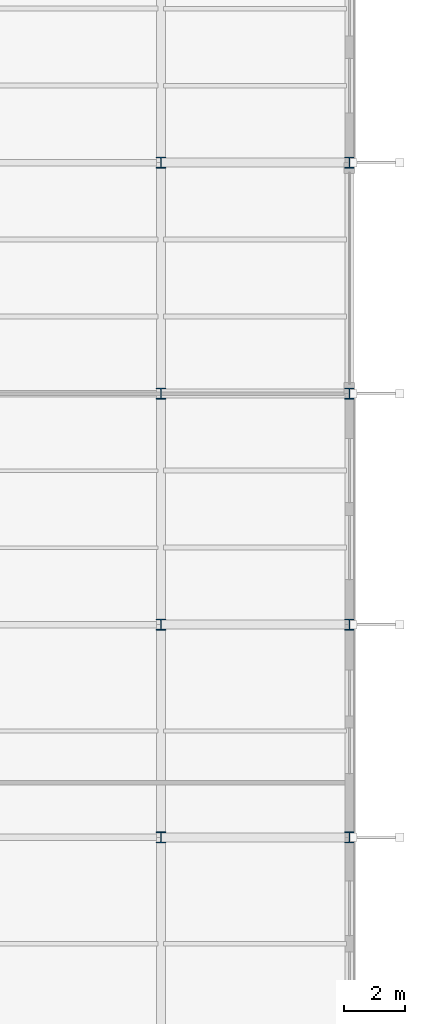
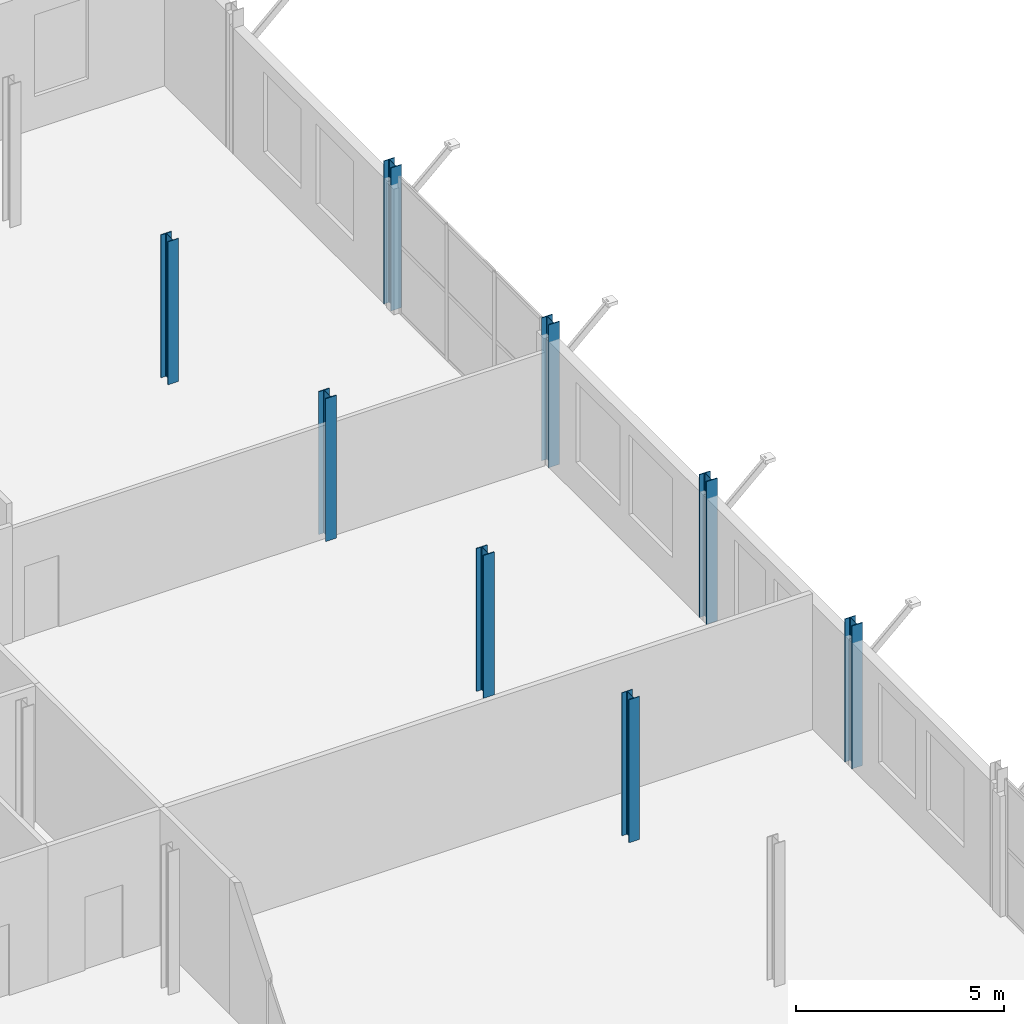
# One storey, part 8 of 25: 8 columns.
"""IFC4 building model written with IfcOpenShell, lengths in metres."""

from ifc_helpers import new_model, si_unit, direction, frame, origin, origin_2d, place, context, subcontext, project, spatial, i_section, extrude, material, material_profile, profile_set, type_object, element, save


model = new_model("IFC4")

# Units and contexts
model_context = context("Model", 3, precision=1e-05, world=origin(), true_north=direction((0.0, 1.0)))
body_context = subcontext(model_context, "Body", "Model", "MODEL_VIEW")
ifc_project = project(units=[si_unit("LENGTHUNIT", "METRE"), si_unit("AREAUNIT", "SQUARE_METRE"), si_unit("VOLUMEUNIT", "CUBIC_METRE"), si_unit("PLANEANGLEUNIT", "RADIAN"), si_unit("MASSUNIT", "GRAM", prefix="KILO")], contexts=[model_context])

# Site, building, storey
site_placement = place(None, origin())
site = spatial("IfcSite", under=ifc_project, at=site_placement, CompositionType="ELEMENT")
building_placement = place(site_placement, origin())
building = spatial("IfcBuilding", under=site, at=building_placement, Name="Vekula Escarpment Museum", CompositionType="ELEMENT")
storey_placement = place(building_placement, frame((0.0, 0.0, 26.39990234375)))
storey = spatial("IfcBuildingStorey", under=building, at=storey_placement, Name="L06", CompositionType="ELEMENT", Elevation=26.39990234375)

# Columns
ifc_material = material(Name="Steel S355", Category="steel")
ifc_material_profile = material_profile(ifc_material, i_section(OverallWidth=0.300048828125, OverallDepth=0.360107421875, WebThickness=0.012451171875, FlangeThickness=0.0224609375, FilletRadius=0.027099609375, at=origin_2d()), Name="HEB 360")
ifc_profile_set = profile_set([ifc_material_profile], Name="Steel S355")
column_type = type_object("IfcColumnType", Name="COL-S-HEB360", PredefinedType="COLUMN", material=ifc_profile_set)
for number, where, z_axis, x_axis, name in (
    (1, (191.800048828125, 83.39990234375, 0.0), (0.0, 0.0, 1.0), (1.0, 0.0, 0.0), "Column L06 (191.8,83.4)"),
    (2, (191.800048828125, 90.39990234375, 0.0), (0.0, 0.0, 1.0), (1.0, 0.0, 0.0), "Column L06 (191.8,90.4)"),
    (3, (191.800048828125, 98.0, 0.0), (0.0, 0.0, 1.0), (1.0, 0.0, 0.0), "Column L06 (191.8,98.0)"),
    (4, (191.800048828125, 105.60009765625, 0.0), (0.0, 0.0, 1.0), (1.0, 0.0, 0.0), "Column L06 (191.8,105.6)"),
    (5, (198.0, 83.39990234375, 0.0), (0.0, 0.0, 1.0), (1.0, 0.0, 0.0), "Column L06 (198.0,83.4)"),
    (6, (198.0, 90.39990234375, 0.0), (0.0, 0.0, 1.0), (1.0, 0.0, 0.0), "Column L06 (198.0,90.4)"),
    (7, (198.0, 98.0, 0.0), (0.0, 0.0, 1.0), (1.0, 0.0, 0.0), "Column L06 (198.0,98.0)"),
    (8, (198.0, 105.60009765625, 0.0), (0.0, 0.0, 1.0), (1.0, 0.0, 0.0), "Column L06 (198.0,105.6)"),
):
    element("IfcColumn", number, at=place(storey_placement, frame(where, z_axis=z_axis, x_axis=x_axis)), inside=storey, type_object=column_type, Name=name, PredefinedType="COLUMN", context=body_context, shape_type="SweptSolid", body=[
        extrude(i_section(OverallWidth=0.300048828125, OverallDepth=0.360107421875, WebThickness=0.012451171875, FlangeThickness=0.0224609375, FilletRadius=0.027099609375, at=origin_2d()), origin(), (0.0, 0.0, 1.0), 4.2001953125),
    ])

save(model, "model.ifc")
